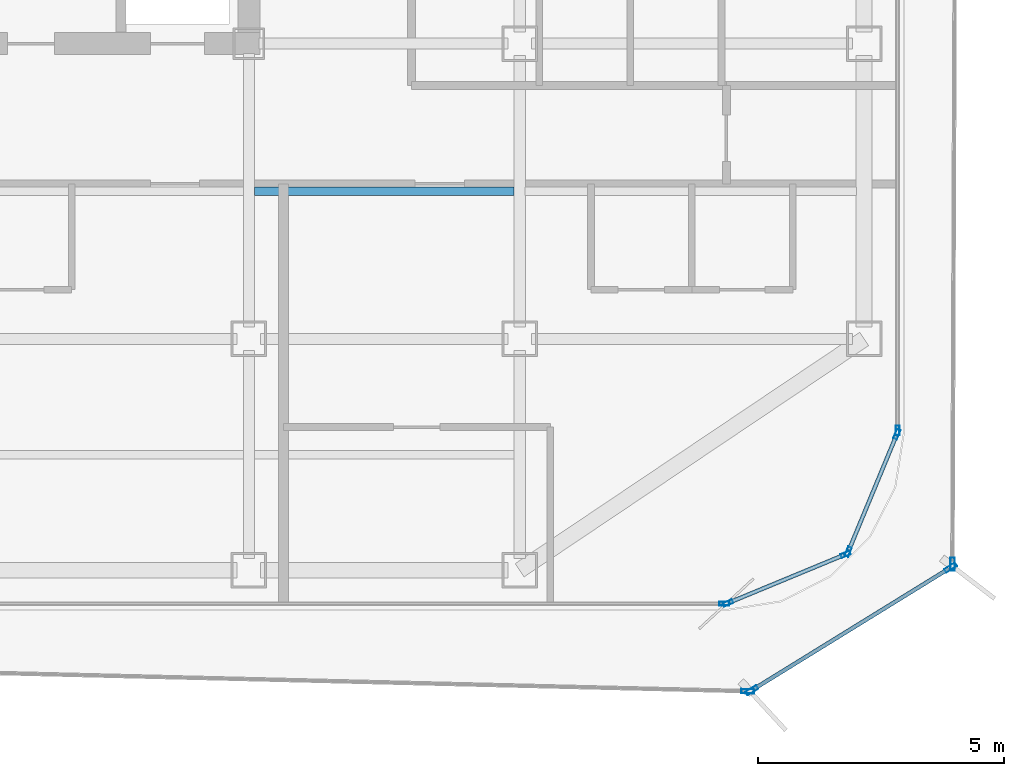
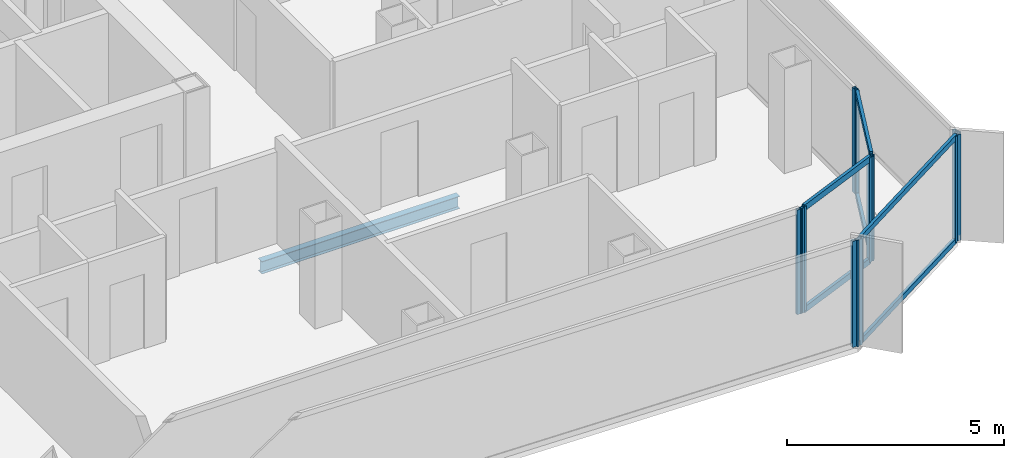
# One storey, part 4 of 15: 16 members, 1 beam, 7 elements without a shape of their own.
"""IFC4 building model written with IfcOpenShell, lengths in metres."""

import ifcopenshell
import ifcopenshell.guid

model = None  # the IFC model being written
_history = None  # IfcOwnerHistory: only IFC2X3 demands one
_inside = {}  # id of a spatial element -> (the spatial element, [elements in it])
_under = {}  # id of a project, library or spatial element -> (it, [spatial elements below it])
_declared = {}  # id of a project -> (the project, [libraries it declares])
_typed = {}  # id of a type object -> (the type object, [elements of that type])
_made_of = {}  # id of a material, layer set ... -> (it, [elements and type objects made of it])


def new_model(schema):
    """Start an empty IFC model of exactly this schema.

    Asked for "IFC4X3", IfcOpenShell would pick the latest addendum, in which some entities
    have other attributes; the version numbers below select the first issue.
    IFC2X3 requires an IfcOwnerHistory on every rooted entity: one is made here for all.
    """
    global model, _history
    if schema == "IFC4X3":
        model = ifcopenshell.file(schema_version=(4, 3, 0, 0))
    else:
        model = ifcopenshell.file(schema=schema)
    _inside.clear()
    _under.clear()
    _declared.clear()
    _typed.clear()
    _made_of.clear()
    _history = None
    if model.schema == "IFC2X3":
        org = make("IfcOrganization", Name="unknown")
        user = make(
            "IfcPersonAndOrganization",
            ThePerson=make("IfcPerson", FamilyName="unknown"),
            TheOrganization=org,
        )
        app = make(
            "IfcApplication",
            ApplicationDeveloper=org,
            Version="unknown",
            ApplicationFullName="unknown",
            ApplicationIdentifier="unknown",
        )
        _history = make(
            "IfcOwnerHistory",
            OwningUser=user,
            OwningApplication=app,
            ChangeAction="ADDED",
            CreationDate=0,
        )
    return model


def make(cls, **values):
    """One entity of the class cls with the attributes given. An attribute that is None is left unset."""
    return model.create_entity(
        cls, **{name: value for name, value in values.items() if value is not None}
    )


def rooted(cls, **values):
    """An entity with a GlobalId (a new one), such as an element, a storey or a relation."""
    return make(cls, GlobalId=ifcopenshell.guid.new(), OwnerHistory=_history, **values)


def si_unit(unit_type, name, prefix=None):
    """IfcSIUnit, for example si_unit("LENGTHUNIT", "METRE", prefix="MILLI")."""
    return make("IfcSIUnit", UnitType=unit_type, Prefix=prefix, Name=name)


def assignment(units):
    """IfcUnitAssignment: the units of a project."""
    return None if units is None else make("IfcUnitAssignment", Units=units)


def point(xyz):
    """IfcCartesianPoint."""
    return None if xyz is None else make("IfcCartesianPoint", Coordinates=xyz)


def direction(xyz):
    """IfcDirection."""
    return None if xyz is None else make("IfcDirection", DirectionRatios=xyz)


def frame(location, z_axis=None, x_axis=None):
    """IfcAxis2Placement3D, a coordinate frame: its origin and axes. An axis left out is left unset."""
    return make(
        "IfcAxis2Placement3D",
        Location=point(location),
        Axis=direction(z_axis),
        RefDirection=direction(x_axis),
    )


def frame_2d(location, x_axis=None):
    """IfcAxis2Placement2D, a coordinate frame in the plane: its origin and x axis."""
    return make(
        "IfcAxis2Placement2D", Location=point(location), RefDirection=direction(x_axis)
    )


def origin():
    """The frame at (0, 0, 0) with its axes left unset."""
    return frame((0.0, 0.0, 0.0))


def origin_2d():
    """The frame at (0, 0) in the plane with its x axis left unset."""
    return frame_2d((0.0, 0.0))


def place(relative_to, where):
    """IfcLocalPlacement: puts the frame where relative to a parent placement (None: the world)."""
    return make(
        "IfcLocalPlacement", PlacementRelTo=relative_to, RelativePlacement=where
    )


def context(
    kind, dimensions, precision=None, world=None, true_north=None, identifier=None
):
    """IfcGeometricRepresentationContext, for example the 3D "Model" context."""
    return make(
        "IfcGeometricRepresentationContext",
        ContextIdentifier=identifier,
        ContextType=kind,
        CoordinateSpaceDimension=dimensions,
        Precision=precision,
        WorldCoordinateSystem=world,
        TrueNorth=true_north,
    )


def subcontext(parent, identifier, kind, view, scale=None):
    """IfcGeometricRepresentationSubContext, for example "Body" below "Model"."""
    return make(
        "IfcGeometricRepresentationSubContext",
        ContextIdentifier=identifier,
        ContextType=kind,
        ParentContext=parent,
        TargetScale=scale,
        TargetView=view,
    )


def project(units=None, contexts=None):
    """IfcProject with its units and contexts."""
    return rooted(
        "IfcProject",
        Name="project",
        RepresentationContexts=contexts,
        UnitsInContext=assignment(units),
    )


def spatial(cls, under=None, at=None, **own):
    """A site, building, storey or space (cls), placed at a placement, below another one or the project."""
    s = rooted(cls, ObjectPlacement=at, **own)
    if under is not None:
        _under.setdefault(under.id(), (under, []))[1].append(s)
    return s


def profile(cls, at=None, kind="AREA", **sizes):
    """A parametric profile (cls). Its sizes go by their IFC names, for example OverallWidth=200.0."""
    return make(cls, ProfileType=kind, Position=at, **sizes)


def hollow_rectangle(**sizes):
    """IfcRectangleHollowProfileDef."""
    return profile("IfcRectangleHollowProfileDef", **sizes)


def i_section(**sizes):
    """IfcIShapeProfileDef."""
    return profile("IfcIShapeProfileDef", **sizes)


def extrude(swept, where, along, depth):
    """IfcExtrudedAreaSolid: the profile swept, set in the frame where, extruded along a direction by depth."""
    return make(
        "IfcExtrudedAreaSolid",
        SweptArea=swept,
        Position=where,
        ExtrudedDirection=direction(along),
        Depth=depth,
    )


def shape(context_of_items, identifier, shape_type, items):
    """IfcShapeRepresentation: the items that make up one representation, for example the "Body"."""
    return make(
        "IfcShapeRepresentation",
        ContextOfItems=context_of_items,
        RepresentationIdentifier=identifier,
        RepresentationType=shape_type,
        Items=items,
    )


def source(mapping_origin, context_of_items, identifier, shape_type, items):
    """IfcRepresentationMap: a shape defined once, which mapped items show again and again."""
    return make(
        "IfcRepresentationMap",
        MappingOrigin=mapping_origin,
        MappedRepresentation=shape(context_of_items, identifier, shape_type, items),
    )


def transform(
    local_origin,
    x_axis=None,
    y_axis=None,
    z_axis=None,
    scale=None,
    scale2=None,
    scale3=None,
    uniform=True,
):
    """IfcCartesianTransformationOperator3D, or its non-uniform kind. x_axis, y_axis, z_axis: its Axis1, 2, 3."""
    if uniform:
        return make(
            "IfcCartesianTransformationOperator3D",
            Axis1=direction(x_axis),
            Axis2=direction(y_axis),
            LocalOrigin=point(local_origin),
            Scale=scale,
            Axis3=direction(z_axis),
        )
    return make(
        "IfcCartesianTransformationOperator3DnonUniform",
        Axis1=direction(x_axis),
        Axis2=direction(y_axis),
        LocalOrigin=point(local_origin),
        Scale=scale,
        Axis3=direction(z_axis),
        Scale2=scale2,
        Scale3=scale3,
    )


def mapped(mapping_source, mapping_target):
    """IfcMappedItem: shows the shape of a source again, moved by a transform."""
    return make(
        "IfcMappedItem", MappingSource=mapping_source, MappingTarget=mapping_target
    )


def material(Name=None, Category=None):
    """IfcMaterial."""
    return make("IfcMaterial", Name=Name, Category=Category)


def layer(
    of_material, thickness, ventilated=None, Name=None, Category=None, Priority=None
):
    """IfcMaterialLayer: one layer of a wall or slab, of a material (None: an air gap)."""
    return make(
        "IfcMaterialLayer",
        Material=of_material,
        LayerThickness=thickness,
        IsVentilated=ventilated,
        Name=Name,
        Category=Category,
        Priority=Priority,
    )


def layer_set(layers, Name=None):
    """IfcMaterialLayerSet."""
    return make("IfcMaterialLayerSet", MaterialLayers=layers, LayerSetName=Name)


def material_profile(
    of_material, cross_section, Name=None, Category=None, Priority=None
):
    """IfcMaterialProfile: a cross section and its material."""
    return make(
        "IfcMaterialProfile",
        Name=Name,
        Material=of_material,
        Profile=cross_section,
        Priority=Priority,
        Category=Category,
    )


def profile_set(profiles, Name=None, composite=None):
    """IfcMaterialProfileSet."""
    return make(
        "IfcMaterialProfileSet",
        Name=Name,
        MaterialProfiles=profiles,
        CompositeProfile=composite,
    )


def made_of(thing, what):
    """Note that an element or type object is made of a material, layer set ...; save() writes the relation."""
    if what is not None:
        _made_of.setdefault(what.id(), (what, []))[1].append(thing)
    return thing


def type_object(cls, material=None, **own):
    """A type object (cls), such as IfcWallType, which elements share."""
    return made_of(rooted(cls, **own), material)


def element(
    cls,
    number,
    at=None,
    inside=None,
    cuts=None,
    type_object=None,
    material=None,
    context=None,
    identifier="Body",
    shape_type=None,
    held_by="IfcProductDefinitionShape",
    body=None,
    shapes=None,
    **own,
):
    """One element of the class cls, such as IfcWall. Its Tag is "e" and its number.

    at: its placement. inside: the storey or other place that contains it. cuts: it is an
    opening in that element (IfcRelVoidsElement). A single representation is given by context,
    identifier, shape_type and body (its items); several are given by shapes. held_by: the class
    of the entity that holds the representations. save() writes the other relations.
    """
    e = rooted(cls, Tag="e%d" % number, ObjectPlacement=at, **own)
    if body is not None:
        shapes = [shape(context, identifier, shape_type, body)]
    if shapes is not None:
        e.Representation = make(held_by, Representations=shapes)
    if inside is not None:
        _inside.setdefault(inside.id(), (inside, []))[1].append(e)
    if cuts is not None:
        rooted(
            "IfcRelVoidsElement", RelatingBuildingElement=cuts, RelatedOpeningElement=e
        )
    if type_object is not None:
        _typed.setdefault(type_object.id(), (type_object, []))[1].append(e)
    return made_of(e, material)


def aggregate(whole, parts):
    """IfcRelAggregates: a whole, such as a stair, and the parts it consists of."""
    return rooted("IfcRelAggregates", RelatingObject=whole, RelatedObjects=parts)


def save(model, path):
    """Write the relations noted so far, then the file.

    IfcRelAggregates (storeys below a building ...), IfcRelContainedInSpatialStructure (elements
    in a storey), IfcRelDefinesByType, IfcRelAssociatesMaterial and IfcRelDeclares: one each for
    every whole, place, type object, material and project.
    """
    for whole, parts in _under.values():
        aggregate(whole, parts)
    for where, things in _inside.values():
        rooted(
            "IfcRelContainedInSpatialStructure",
            RelatedElements=things,
            RelatingStructure=where,
        )
    for kind, things in _typed.values():
        rooted("IfcRelDefinesByType", RelatedObjects=things, RelatingType=kind)
    for what, things in _made_of.values():
        rooted("IfcRelAssociatesMaterial", RelatedObjects=things, RelatingMaterial=what)
    for by, libraries in _declared.values():
        rooted("IfcRelDeclares", RelatingContext=by, RelatedDefinitions=libraries)
    model.write(path)


model = new_model("IFC4")

# Units and contexts
model_context = context("Model", 3, precision=1e-05, world=origin(), true_north=direction((0.0, 1.0)))
body_context = subcontext(model_context, "Body", "Model", "MODEL_VIEW")
ifc_project = project(units=[si_unit("LENGTHUNIT", "METRE"), si_unit("AREAUNIT", "SQUARE_METRE"), si_unit("VOLUMEUNIT", "CUBIC_METRE"), si_unit("PLANEANGLEUNIT", "RADIAN"), si_unit("MASSUNIT", "GRAM", prefix="KILO")], contexts=[model_context])

# Site, building, storey
site_placement = place(None, origin())
site = spatial("IfcSite", under=ifc_project, at=site_placement, CompositionType="ELEMENT")
building_placement = place(site_placement, origin())
building = spatial("IfcBuilding", under=site, at=building_placement, Name="Kolveth Station Tower", CompositionType="ELEMENT")
storey_placement = place(building_placement, frame((0.0, 0.0, 165.699951171875)))
storey = spatial("IfcBuildingStorey", under=building, at=storey_placement, Name="L46", CompositionType="ELEMENT", Elevation=165.699951171875)

# Beam
ifc_material_1 = material(Name="Steel S355", Category="steel")
ifc_material_profile_1 = material_profile(ifc_material_1, i_section(OverallWidth=0.1708984375, OverallDepth=0.35205078125, WebThickness=0.0068359375, FlangeThickness=0.009765625, at=origin_2d()), Name="W360x44")
ifc_profile_set_1 = profile_set([ifc_material_profile_1], Name="Steel S355")
beam_type = type_object("IfcBeamType", Name="Beam_J2", PredefinedType="JOIST", material=ifc_profile_set_1)
shared_shape_1 = source(origin(), body_context, "Body", "SweptSolid", [
    extrude(i_section(OverallWidth=0.1708984375, OverallDepth=0.35205078125, WebThickness=0.0068359375, FlangeThickness=0.009765625, at=origin_2d()), origin(), (0.0, 0.0, 1.0), 5.27490234375),
])
beam_placement = place(storey_placement, frame((28.612548828125, 8.5, -0.426025390625), z_axis=(1.0, 0.0, 0.0), x_axis=(0.0, 1.0, 0.0)))
element("IfcBeam", 1, at=beam_placement, inside=storey, type_object=beam_type, Name="L46 Secondary Joist JST-L46-5-2", PredefinedType="JOIST", context=body_context, shape_type="MappedRepresentation", body=[
    mapped(shared_shape_1, transform((0.0, 0.0, 0.0), x_axis=(1.0, 0.0, 0.0), y_axis=(0.0, 1.0, 0.0), z_axis=(0.0, 0.0, 1.0), scale=1.0)),
])

# Curtain wall, members
ifc_material_2 = material(Name="Aluminium 6063-T6 and low-E dark glass", Category="aluminium")
ifc_layer_1 = layer(ifc_material_2, 0.18994140625)
ifc_layer_set_1 = layer_set([ifc_layer_1], Name="Aluminium 6063-T6 and low-E dark glass")
curtain_wall_type_1 = type_object("IfcCurtainWallType", Name="CurtainWall_CW-Z2", PredefinedType="NOTDEFINED", material=ifc_layer_set_1)
curtain_wall_1_placement = place(storey_placement, origin())
curtain_wall_1 = element("IfcCurtainWall", 2, at=curtain_wall_1_placement, inside=storey, type_object=curtain_wall_type_1, Name="L46 Inner Thermal Curtain Wall 1", PredefinedType="NOTDEFINED")
ifc_material_3 = material(Name="Black anodized aluminium 6063-T6", Category="aluminium")
ifc_material_profile_2 = material_profile(ifc_material_3, hollow_rectangle(XDim=0.080078125, YDim=0.199951171875, WallThickness=0.0048828125, at=origin_2d()), Name="ALU-80x200x5")
ifc_profile_set_2 = profile_set([ifc_material_profile_2], Name="Black anodized aluminium 6063-T6")
member_type_1 = type_object("IfcMemberType", Name="Mullion_ML2", PredefinedType="MULLION", material=ifc_profile_set_2)
shared_shape_2 = source(origin(), body_context, "Body", "SweptSolid", [
    extrude(hollow_rectangle(XDim=0.080078125, YDim=0.199951171875, WallThickness=0.0048828125, at=origin_2d()), origin(), (0.0, 0.0, 1.0), 2.949951171875),
])
member_1_placement = place(storey_placement, frame((38.237060546875, 0.13525390625, 0.0), z_axis=(0.0, 0.0, 1.0), x_axis=(-0.382697753087, 0.923873600544, 0.0)))
member_1 = element("IfcMember", 3, at=member_1_placement, type_object=member_type_1, Name="CW-Z2 mullion 1", PredefinedType="MULLION", context=body_context, shape_type="MappedRepresentation", body=[
    mapped(shared_shape_2, transform((0.0, 0.0, 0.0), x_axis=(1.0, 0.0, 0.0), y_axis=(0.0, 1.0, 0.0), z_axis=(0.0, 0.0, 1.0), scale=1.0)),
])
member_2_placement = place(storey_placement, frame((40.623779296875, 1.1240234375, 0.0), z_axis=(0.0, 0.0, 1.0), x_axis=(-0.382697753087, 0.923873600544, 0.0)))
member_2 = element("IfcMember", 4, at=member_2_placement, type_object=member_type_1, Name="CW-Z2 mullion 2", PredefinedType="MULLION", context=body_context, shape_type="MappedRepresentation", body=[
    mapped(shared_shape_2, transform((0.0, 0.0, 0.0), x_axis=(1.0, 0.0, 0.0), y_axis=(0.0, 1.0, 0.0), z_axis=(0.0, 0.0, 1.0), scale=1.0)),
])

curtain_wall_2_placement = place(storey_placement, origin())
curtain_wall_2 = element("IfcCurtainWall", 5, at=curtain_wall_2_placement, inside=storey, type_object=curtain_wall_type_1, Name="L46 Inner Thermal Curtain Wall 2", PredefinedType="NOTDEFINED")
member_3_placement = place(storey_placement, frame((40.676025390625, 1.17626953125, 0.0), z_axis=(0.0, 0.0, 1.0), x_axis=(-0.923873600544, 0.382697753087, 0.0)))
member_3 = element("IfcMember", 6, at=member_3_placement, type_object=member_type_1, Name="CW-Z2 mullion 1", PredefinedType="MULLION", context=body_context, shape_type="MappedRepresentation", body=[
    mapped(shared_shape_2, transform((0.0, 0.0, 0.0), x_axis=(1.0, 0.0, 0.0), y_axis=(0.0, 1.0, 0.0), z_axis=(0.0, 0.0, 1.0), scale=1.0)),
])
member_4_placement = place(storey_placement, frame((41.664794921875, 3.56298828125, 0.0), z_axis=(0.0, 0.0, 1.0), x_axis=(-0.923873600544, 0.382697753087, 0.0)))
member_4 = element("IfcMember", 7, at=member_4_placement, type_object=member_type_1, Name="CW-Z2 mullion 2", PredefinedType="MULLION", context=body_context, shape_type="MappedRepresentation", body=[
    mapped(shared_shape_2, transform((0.0, 0.0, 0.0), x_axis=(1.0, 0.0, 0.0), y_axis=(0.0, 1.0, 0.0), z_axis=(0.0, 0.0, 1.0), scale=1.0)),
])

# Curtain wall, member
curtain_wall_3_placement = place(storey_placement, origin())
curtain_wall_3 = element("IfcCurtainWall", 8, at=curtain_wall_3_placement, inside=storey, type_object=curtain_wall_type_1, Name="L46 Inner Thermal Curtain Wall 3", PredefinedType="NOTDEFINED")
member_5_placement = place(storey_placement, frame((41.679931640625, 3.639892578125, 0.0), z_axis=(0.0, 0.0, 1.0), x_axis=(-1.0, 0.0, 0.0)))
member_5 = element("IfcMember", 9, at=member_5_placement, type_object=member_type_1, Name="CW-Z2 mullion 1", PredefinedType="MULLION", context=body_context, shape_type="MappedRepresentation", body=[
    mapped(shared_shape_2, transform((0.0, 0.0, 0.0), x_axis=(1.0, 0.0, 0.0), y_axis=(0.0, 1.0, 0.0), z_axis=(0.0, 0.0, 1.0), scale=1.0)),
])
aggregate(curtain_wall_3, [member_5])

curtain_wall_4_placement = place(storey_placement, origin())
curtain_wall_4 = element("IfcCurtainWall", 10, at=curtain_wall_4_placement, inside=storey, type_object=curtain_wall_type_1, Name="L46 Inner Thermal Curtain Wall 12", PredefinedType="NOTDEFINED")
member_6_placement = place(storey_placement, frame((38.159912109375, 0.1201171875, 0.0), z_axis=(0.0, 0.0, 1.0), x_axis=(0.0, 1.0, 0.0)))
member_6 = element("IfcMember", 11, at=member_6_placement, type_object=member_type_1, Name="CW-Z2 mullion 2", PredefinedType="MULLION", context=body_context, shape_type="MappedRepresentation", body=[
    mapped(shared_shape_2, transform((0.0, 0.0, 0.0), x_axis=(1.0, 0.0, 0.0), y_axis=(0.0, 1.0, 0.0), z_axis=(0.0, 0.0, 1.0), scale=1.0)),
])
aggregate(curtain_wall_4, [member_6])

# Curtain wall, members
ifc_material_4 = material(Name="Black anodized aluminium 6063-T6 and dark solar glass", Category="aluminium")
ifc_layer_2 = layer(ifc_material_4, 0.159912109375)
ifc_layer_set_2 = layer_set([ifc_layer_2], Name="Black anodized aluminium 6063-T6 and dark solar glass")
curtain_wall_type_2 = type_object("IfcCurtainWallType", Name="OUTER SKIN CW-OS", PredefinedType="NOTDEFINED", material=ifc_layer_set_2)
curtain_wall_5_placement = place(storey_placement, origin())
curtain_wall_5 = element("IfcCurtainWall", 12, at=curtain_wall_5_placement, inside=storey, type_object=curtain_wall_type_2, Name="L46 Outer Ventilated Skin Curtain Wall 1", PredefinedType="NOTDEFINED")
ifc_material_profile_3 = material_profile(ifc_material_3, hollow_rectangle(XDim=0.090087890625, YDim=0.260009765625, WallThickness=0.0048828125, at=origin_2d()), Name="ALU-90x260x5")
ifc_profile_set_3 = profile_set([ifc_material_profile_3], Name="Black anodized aluminium 6063-T6")
member_type_2 = type_object("IfcMemberType", Name="FIN MULLION ML-OS", PredefinedType="MULLION", material=ifc_profile_set_3)
shared_shape_3 = source(origin(), body_context, "Body", "SweptSolid", [
    extrude(hollow_rectangle(XDim=0.090087890625, YDim=0.260009765625, WallThickness=0.0048828125, at=origin_2d()), origin(), (0.0, 0.0, 1.0), 2.989990234375),
])
member_7_placement = place(storey_placement, frame((38.71826171875, -1.6376953125, 0.0), z_axis=(0.0, 0.0, 1.0), x_axis=(-0.525175501322, 0.850993944051, 0.0)))
member_7 = element("IfcMember", 13, at=member_7_placement, type_object=member_type_2, Name="CW-OS mullion 1", PredefinedType="MULLION", context=body_context, shape_type="MappedRepresentation", body=[
    mapped(shared_shape_3, transform((0.0, 0.0, 0.0), x_axis=(1.0, 0.0, 0.0), y_axis=(0.0, 1.0, 0.0), z_axis=(0.0, 0.0, 1.0), scale=1.0)),
])
member_8_placement = place(storey_placement, frame((42.7578125, 0.85546875, 0.0), z_axis=(0.0, 0.0, 1.0), x_axis=(-0.525175501322, 0.850993944051, 0.0)))
member_8 = element("IfcMember", 14, at=member_8_placement, type_object=member_type_2, Name="CW-OS mullion 2", PredefinedType="MULLION", context=body_context, shape_type="MappedRepresentation", body=[
    mapped(shared_shape_3, transform((0.0, 0.0, 0.0), x_axis=(1.0, 0.0, 0.0), y_axis=(0.0, 1.0, 0.0), z_axis=(0.0, 0.0, 1.0), scale=1.0)),
])

# Curtain wall, member
curtain_wall_6_placement = place(storey_placement, origin())
curtain_wall_6 = element("IfcCurtainWall", 15, at=curtain_wall_6_placement, inside=storey, type_object=curtain_wall_type_2, Name="L46 Outer Ventilated Skin Curtain Wall 2", PredefinedType="NOTDEFINED")
member_9_placement = place(storey_placement, frame((42.79638671875, 0.924072265625, 0.0), z_axis=(0.0, 0.0, 1.0), x_axis=(-0.999992611462, 0.003844089101, 0.0)))
member_9 = element("IfcMember", 16, at=member_9_placement, type_object=member_type_2, Name="CW-OS mullion 1", PredefinedType="MULLION", context=body_context, shape_type="MappedRepresentation", body=[
    mapped(shared_shape_3, transform((0.0, 0.0, 0.0), x_axis=(1.0, 0.0, 0.0), y_axis=(0.0, 1.0, 0.0), z_axis=(0.0, 0.0, 1.0), scale=1.0)),
])
aggregate(curtain_wall_6, [member_9])

curtain_wall_7_placement = place(storey_placement, origin())
curtain_wall_7 = element("IfcCurtainWall", 17, at=curtain_wall_7_placement, inside=storey, type_object=curtain_wall_type_2, Name="L46 Outer Ventilated Skin Curtain Wall 8", PredefinedType="NOTDEFINED")
member_10_placement = place(storey_placement, frame((38.635009765625, -1.66015625, 0.0), z_axis=(0.0, 0.0, 1.0), x_axis=(0.024151932097, 0.999708299543, 0.0)))
member_10 = element("IfcMember", 18, at=member_10_placement, type_object=member_type_2, Name="CW-OS mullion 2", PredefinedType="MULLION", context=body_context, shape_type="MappedRepresentation", body=[
    mapped(shared_shape_3, transform((0.0, 0.0, 0.0), x_axis=(1.0, 0.0, 0.0), y_axis=(0.0, 1.0, 0.0), z_axis=(0.0, 0.0, 1.0), scale=1.0)),
])
aggregate(curtain_wall_7, [member_10])

# Member
ifc_material_profile_4 = material_profile(ifc_material_3, hollow_rectangle(XDim=0.080078125, YDim=0.169921875, WallThickness=0.0048828125, at=origin_2d()), Name="ALU-80x170x5")
ifc_profile_set_4 = profile_set([ifc_material_profile_4], Name="Black anodized aluminium 6063-T6")
member_type_3 = type_object("IfcMemberType", Name="Transom_TR2", PredefinedType="USERDEFINED", material=ifc_profile_set_4)
shared_shape_4 = source(origin(), body_context, "Body", "SweptSolid", [
    extrude(hollow_rectangle(XDim=0.080078125, YDim=0.169921875, WallThickness=0.0048828125, at=origin_2d()), origin(), (0.0, 0.0, 1.0), 2.50341796875),
])
member_11_placement = place(storey_placement, frame((38.27392578125, 0.150634765625, 0.0400390625), z_axis=(0.923874190494, 0.382696328882, 0.0), x_axis=(-0.382696328882, 0.923874190494, 0.0)))
member_11 = element("IfcMember", 19, at=member_11_placement, type_object=member_type_3, Name="CW-Z2 transom 1.1", ObjectType="TRANSOM", PredefinedType="USERDEFINED", context=body_context, shape_type="MappedRepresentation", body=[
    mapped(shared_shape_4, transform((0.0, 0.0, 0.0), x_axis=(1.0, 0.0, 0.0), y_axis=(0.0, 1.0, 0.0), z_axis=(0.0, 0.0, 1.0), scale=1.0)),
])

member_12_placement = place(storey_placement, frame((38.27392578125, 0.150634765625, 2.91015625), z_axis=(0.923874190494, 0.382696328882, 0.0), x_axis=(-0.382696328882, 0.923874190494, 0.0)))
member_12 = element("IfcMember", 20, at=member_12_placement, type_object=member_type_3, Name="CW-Z2 transom 1.2", ObjectType="TRANSOM", PredefinedType="USERDEFINED", context=body_context, shape_type="MappedRepresentation", body=[
    mapped(shared_shape_4, transform((0.0, 0.0, 0.0), x_axis=(1.0, 0.0, 0.0), y_axis=(0.0, 1.0, 0.0), z_axis=(0.0, 0.0, 1.0), scale=1.0)),
])

aggregate(curtain_wall_1, [member_1, member_2, member_11, member_12])

member_13_placement = place(storey_placement, frame((40.69140625, 1.213134765625, 0.0400390625), z_axis=(0.382661849723, 0.923888472039, 0.0), x_axis=(-0.923888472039, 0.382661849723, 0.0)))
member_13 = element("IfcMember", 21, at=member_13_placement, type_object=member_type_3, Name="CW-Z2 transom 1.1", ObjectType="TRANSOM", PredefinedType="USERDEFINED", context=body_context, shape_type="MappedRepresentation", body=[
    mapped(shared_shape_4, transform((0.0, 0.0, 0.0), x_axis=(1.0, 0.0, 0.0), y_axis=(0.0, 1.0, 0.0), z_axis=(0.0, 0.0, 1.0), scale=1.0)),
])

member_14_placement = place(storey_placement, frame((40.69140625, 1.213134765625, 2.91015625), z_axis=(0.382661849723, 0.923888472039, 0.0), x_axis=(-0.923888472039, 0.382661849723, 0.0)))
member_14 = element("IfcMember", 22, at=member_14_placement, type_object=member_type_3, Name="CW-Z2 transom 1.2", ObjectType="TRANSOM", PredefinedType="USERDEFINED", context=body_context, shape_type="MappedRepresentation", body=[
    mapped(shared_shape_4, transform((0.0, 0.0, 0.0), x_axis=(1.0, 0.0, 0.0), y_axis=(0.0, 1.0, 0.0), z_axis=(0.0, 0.0, 1.0), scale=1.0)),
])

aggregate(curtain_wall_2, [member_3, member_4, member_13, member_14])

ifc_material_profile_5 = material_profile(ifc_material_3, hollow_rectangle(XDim=0.080078125, YDim=0.14990234375, WallThickness=0.0048828125, at=origin_2d()), Name="ALU-80x150x5")
ifc_profile_set_5 = profile_set([ifc_material_profile_5], Name="Black anodized aluminium 6063-T6")
member_type_4 = type_object("IfcMemberType", Name="Transom_TR-OS", PredefinedType="USERDEFINED", material=ifc_profile_set_5)
shared_shape_5 = source(origin(), body_context, "Body", "SweptSolid", [
    extrude(hollow_rectangle(XDim=0.080078125, YDim=0.14990234375, WallThickness=0.0048828125, at=origin_2d()), origin(), (0.0, 0.0, 1.0), 4.656982421875),
])
member_15_placement = place(storey_placement, frame((38.756591796875, -1.614013671875, 0.0400390625), z_axis=(0.850991647399, 0.525179222796, 0.0), x_axis=(-0.525179222796, 0.850991647399, 0.0)))
member_15 = element("IfcMember", 23, at=member_15_placement, type_object=member_type_4, Name="CW-OS transom 1.1", ObjectType="TRANSOM", PredefinedType="USERDEFINED", context=body_context, shape_type="MappedRepresentation", body=[
    mapped(shared_shape_5, transform((0.0, 0.0, 0.0), x_axis=(1.0, 0.0, 0.0), y_axis=(0.0, 1.0, 0.0), z_axis=(0.0, 0.0, 1.0), scale=1.0)),
])

member_16_placement = place(storey_placement, frame((38.756591796875, -1.614013671875, 2.949951171875), z_axis=(0.850991647399, 0.525179222796, 0.0), x_axis=(-0.525179222796, 0.850991647399, 0.0)))
member_16 = element("IfcMember", 24, at=member_16_placement, type_object=member_type_4, Name="CW-OS transom 1.2", ObjectType="TRANSOM", PredefinedType="USERDEFINED", context=body_context, shape_type="MappedRepresentation", body=[
    mapped(shared_shape_5, transform((0.0, 0.0, 0.0), x_axis=(1.0, 0.0, 0.0), y_axis=(0.0, 1.0, 0.0), z_axis=(0.0, 0.0, 1.0), scale=1.0)),
])

aggregate(curtain_wall_5, [member_7, member_8, member_15, member_16])

save(model, "model.ifc")
